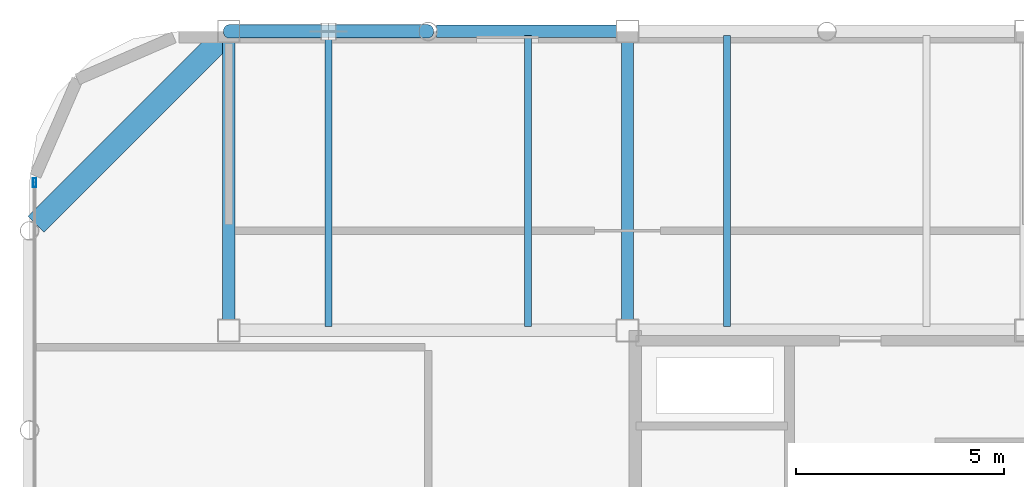
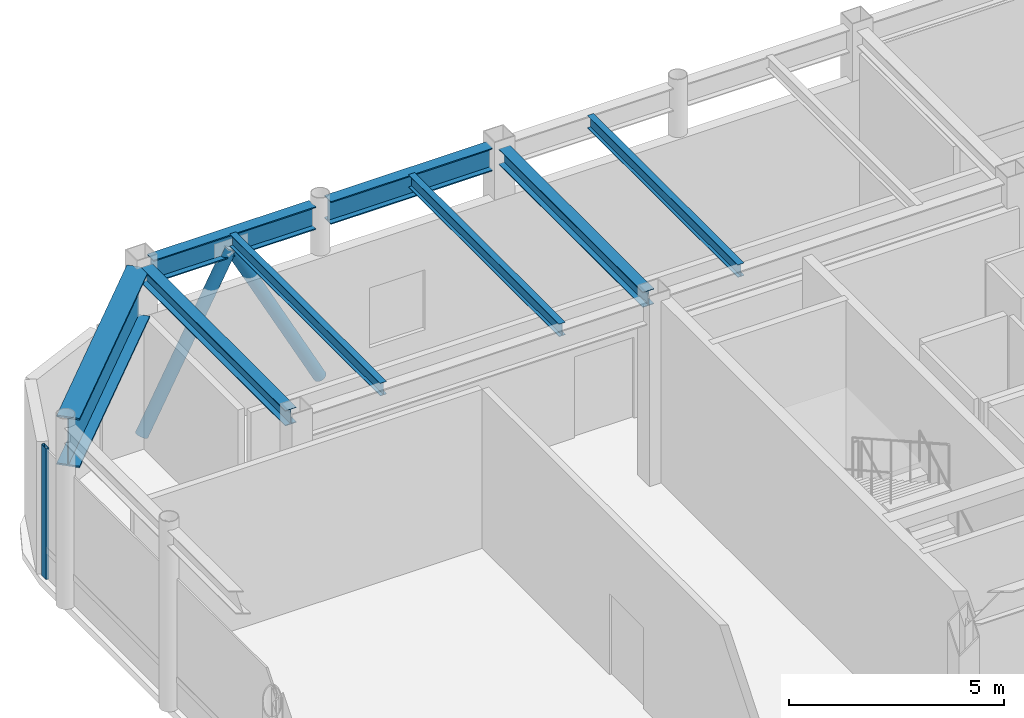
# One storey, part 12 of 21: 8 beams, 3 members, 1 element without a shape of its own.
"""IFC4 building model written with IfcOpenShell, lengths in metres."""

import ifcopenshell
import ifcopenshell.guid

model = None  # the IFC model being written
_history = None  # IfcOwnerHistory: only IFC2X3 demands one
_inside = {}  # id of a spatial element -> (the spatial element, [elements in it])
_under = {}  # id of a project, library or spatial element -> (it, [spatial elements below it])
_declared = {}  # id of a project -> (the project, [libraries it declares])
_typed = {}  # id of a type object -> (the type object, [elements of that type])
_made_of = {}  # id of a material, layer set ... -> (it, [elements and type objects made of it])


def new_model(schema):
    """Start an empty IFC model of exactly this schema.

    Asked for "IFC4X3", IfcOpenShell would pick the latest addendum, in which some entities
    have other attributes; the version numbers below select the first issue.
    IFC2X3 requires an IfcOwnerHistory on every rooted entity: one is made here for all.
    """
    global model, _history
    if schema == "IFC4X3":
        model = ifcopenshell.file(schema_version=(4, 3, 0, 0))
    else:
        model = ifcopenshell.file(schema=schema)
    _inside.clear()
    _under.clear()
    _declared.clear()
    _typed.clear()
    _made_of.clear()
    _history = None
    if model.schema == "IFC2X3":
        org = make("IfcOrganization", Name="unknown")
        user = make(
            "IfcPersonAndOrganization",
            ThePerson=make("IfcPerson", FamilyName="unknown"),
            TheOrganization=org,
        )
        app = make(
            "IfcApplication",
            ApplicationDeveloper=org,
            Version="unknown",
            ApplicationFullName="unknown",
            ApplicationIdentifier="unknown",
        )
        _history = make(
            "IfcOwnerHistory",
            OwningUser=user,
            OwningApplication=app,
            ChangeAction="ADDED",
            CreationDate=0,
        )
    return model


def make(cls, **values):
    """One entity of the class cls with the attributes given. An attribute that is None is left unset."""
    return model.create_entity(
        cls, **{name: value for name, value in values.items() if value is not None}
    )


def rooted(cls, **values):
    """An entity with a GlobalId (a new one), such as an element, a storey or a relation."""
    return make(cls, GlobalId=ifcopenshell.guid.new(), OwnerHistory=_history, **values)


def si_unit(unit_type, name, prefix=None):
    """IfcSIUnit, for example si_unit("LENGTHUNIT", "METRE", prefix="MILLI")."""
    return make("IfcSIUnit", UnitType=unit_type, Prefix=prefix, Name=name)


def assignment(units):
    """IfcUnitAssignment: the units of a project."""
    return None if units is None else make("IfcUnitAssignment", Units=units)


def point(xyz):
    """IfcCartesianPoint."""
    return None if xyz is None else make("IfcCartesianPoint", Coordinates=xyz)


def direction(xyz):
    """IfcDirection."""
    return None if xyz is None else make("IfcDirection", DirectionRatios=xyz)


def frame(location, z_axis=None, x_axis=None):
    """IfcAxis2Placement3D, a coordinate frame: its origin and axes. An axis left out is left unset."""
    return make(
        "IfcAxis2Placement3D",
        Location=point(location),
        Axis=direction(z_axis),
        RefDirection=direction(x_axis),
    )


def frame_2d(location, x_axis=None):
    """IfcAxis2Placement2D, a coordinate frame in the plane: its origin and x axis."""
    return make(
        "IfcAxis2Placement2D", Location=point(location), RefDirection=direction(x_axis)
    )


def origin():
    """The frame at (0, 0, 0) with its axes left unset."""
    return frame((0.0, 0.0, 0.0))


def origin_2d():
    """The frame at (0, 0) in the plane with its x axis left unset."""
    return frame_2d((0.0, 0.0))


def place(relative_to, where):
    """IfcLocalPlacement: puts the frame where relative to a parent placement (None: the world)."""
    return make(
        "IfcLocalPlacement", PlacementRelTo=relative_to, RelativePlacement=where
    )


def context(
    kind, dimensions, precision=None, world=None, true_north=None, identifier=None
):
    """IfcGeometricRepresentationContext, for example the 3D "Model" context."""
    return make(
        "IfcGeometricRepresentationContext",
        ContextIdentifier=identifier,
        ContextType=kind,
        CoordinateSpaceDimension=dimensions,
        Precision=precision,
        WorldCoordinateSystem=world,
        TrueNorth=true_north,
    )


def subcontext(parent, identifier, kind, view, scale=None):
    """IfcGeometricRepresentationSubContext, for example "Body" below "Model"."""
    return make(
        "IfcGeometricRepresentationSubContext",
        ContextIdentifier=identifier,
        ContextType=kind,
        ParentContext=parent,
        TargetScale=scale,
        TargetView=view,
    )


def project(units=None, contexts=None):
    """IfcProject with its units and contexts."""
    return rooted(
        "IfcProject",
        Name="project",
        RepresentationContexts=contexts,
        UnitsInContext=assignment(units),
    )


def spatial(cls, under=None, at=None, **own):
    """A site, building, storey or space (cls), placed at a placement, below another one or the project."""
    s = rooted(cls, ObjectPlacement=at, **own)
    if under is not None:
        _under.setdefault(under.id(), (under, []))[1].append(s)
    return s


def profile(cls, at=None, kind="AREA", **sizes):
    """A parametric profile (cls). Its sizes go by their IFC names, for example OverallWidth=200.0."""
    return make(cls, ProfileType=kind, Position=at, **sizes)


def hollow_rectangle(**sizes):
    """IfcRectangleHollowProfileDef."""
    return profile("IfcRectangleHollowProfileDef", **sizes)


def hollow_circle(**sizes):
    """IfcCircleHollowProfileDef."""
    return profile("IfcCircleHollowProfileDef", **sizes)


def i_section(**sizes):
    """IfcIShapeProfileDef."""
    return profile("IfcIShapeProfileDef", **sizes)


def extrude(swept, where, along, depth):
    """IfcExtrudedAreaSolid: the profile swept, set in the frame where, extruded along a direction by depth."""
    return make(
        "IfcExtrudedAreaSolid",
        SweptArea=swept,
        Position=where,
        ExtrudedDirection=direction(along),
        Depth=depth,
    )


def shape(context_of_items, identifier, shape_type, items):
    """IfcShapeRepresentation: the items that make up one representation, for example the "Body"."""
    return make(
        "IfcShapeRepresentation",
        ContextOfItems=context_of_items,
        RepresentationIdentifier=identifier,
        RepresentationType=shape_type,
        Items=items,
    )


def material(Name=None, Category=None):
    """IfcMaterial."""
    return make("IfcMaterial", Name=Name, Category=Category)


def layer(
    of_material, thickness, ventilated=None, Name=None, Category=None, Priority=None
):
    """IfcMaterialLayer: one layer of a wall or slab, of a material (None: an air gap)."""
    return make(
        "IfcMaterialLayer",
        Material=of_material,
        LayerThickness=thickness,
        IsVentilated=ventilated,
        Name=Name,
        Category=Category,
        Priority=Priority,
    )


def layer_set(layers, Name=None):
    """IfcMaterialLayerSet."""
    return make("IfcMaterialLayerSet", MaterialLayers=layers, LayerSetName=Name)


def material_profile(
    of_material, cross_section, Name=None, Category=None, Priority=None
):
    """IfcMaterialProfile: a cross section and its material."""
    return make(
        "IfcMaterialProfile",
        Name=Name,
        Material=of_material,
        Profile=cross_section,
        Priority=Priority,
        Category=Category,
    )


def profile_set(profiles, Name=None, composite=None):
    """IfcMaterialProfileSet."""
    return make(
        "IfcMaterialProfileSet",
        Name=Name,
        MaterialProfiles=profiles,
        CompositeProfile=composite,
    )


def made_of(thing, what):
    """Note that an element or type object is made of a material, layer set ...; save() writes the relation."""
    if what is not None:
        _made_of.setdefault(what.id(), (what, []))[1].append(thing)
    return thing


def type_object(cls, material=None, **own):
    """A type object (cls), such as IfcWallType, which elements share."""
    return made_of(rooted(cls, **own), material)


def element(
    cls,
    number,
    at=None,
    inside=None,
    cuts=None,
    type_object=None,
    material=None,
    context=None,
    identifier="Body",
    shape_type=None,
    held_by="IfcProductDefinitionShape",
    body=None,
    shapes=None,
    **own,
):
    """One element of the class cls, such as IfcWall. Its Tag is "e" and its number.

    at: its placement. inside: the storey or other place that contains it. cuts: it is an
    opening in that element (IfcRelVoidsElement). A single representation is given by context,
    identifier, shape_type and body (its items); several are given by shapes. held_by: the class
    of the entity that holds the representations. save() writes the other relations.
    """
    e = rooted(cls, Tag="e%d" % number, ObjectPlacement=at, **own)
    if body is not None:
        shapes = [shape(context, identifier, shape_type, body)]
    if shapes is not None:
        e.Representation = make(held_by, Representations=shapes)
    if inside is not None:
        _inside.setdefault(inside.id(), (inside, []))[1].append(e)
    if cuts is not None:
        rooted(
            "IfcRelVoidsElement", RelatingBuildingElement=cuts, RelatedOpeningElement=e
        )
    if type_object is not None:
        _typed.setdefault(type_object.id(), (type_object, []))[1].append(e)
    return made_of(e, material)


def aggregate(whole, parts):
    """IfcRelAggregates: a whole, such as a stair, and the parts it consists of."""
    return rooted("IfcRelAggregates", RelatingObject=whole, RelatedObjects=parts)


def save(model, path):
    """Write the relations noted so far, then the file.

    IfcRelAggregates (storeys below a building ...), IfcRelContainedInSpatialStructure (elements
    in a storey), IfcRelDefinesByType, IfcRelAssociatesMaterial and IfcRelDeclares: one each for
    every whole, place, type object, material and project.
    """
    for whole, parts in _under.values():
        aggregate(whole, parts)
    for where, things in _inside.values():
        rooted(
            "IfcRelContainedInSpatialStructure",
            RelatedElements=things,
            RelatingStructure=where,
        )
    for kind, things in _typed.values():
        rooted("IfcRelDefinesByType", RelatedObjects=things, RelatingType=kind)
    for what, things in _made_of.values():
        rooted("IfcRelAssociatesMaterial", RelatedObjects=things, RelatingMaterial=what)
    for by, libraries in _declared.values():
        rooted("IfcRelDeclares", RelatingContext=by, RelatedDefinitions=libraries)
    model.write(path)


model = new_model("IFC4")

# Units and contexts
model_context = context("Model", 3, precision=1e-05, world=origin(), true_north=direction((0.0, 1.0)))
body_context = subcontext(model_context, "Body", "Model", "MODEL_VIEW")
ifc_project = project(units=[si_unit("LENGTHUNIT", "METRE"), si_unit("AREAUNIT", "SQUARE_METRE"), si_unit("VOLUMEUNIT", "CUBIC_METRE"), si_unit("PLANEANGLEUNIT", "RADIAN"), si_unit("MASSUNIT", "GRAM", prefix="KILO")], contexts=[model_context])

# Site, building, storey
site_placement = place(None, origin())
site = spatial("IfcSite", under=ifc_project, at=site_placement, CompositionType="ELEMENT")
building_placement = place(site_placement, origin())
building = spatial("IfcBuilding", under=site, at=building_placement, Name="Kallvorn Hotel Tower", CompositionType="ELEMENT")
storey_placement = place(building_placement, frame((0.0, 0.0, 300.60009765625)))
storey = spatial("IfcBuildingStorey", under=building, at=storey_placement, Name="L74", CompositionType="ELEMENT", Elevation=300.60009765625)

# Beams
ifc_material_1 = material(Name="Structural steel S355JR", Category="steel")
ifc_material_profile_1 = material_profile(ifc_material_1, i_section(OverallWidth=0.300048828125, OverallDepth=0.43994140625, WebThickness=0.011474609375, FlangeThickness=0.02099609375, at=origin_2d()), Name="HE 450 A")
ifc_profile_set_1 = profile_set([ifc_material_profile_1], Name="Structural steel S355JR")
beam_type_1 = type_object("IfcBeamType", Name="BM_HE450A", PredefinedType="BEAM", material=ifc_profile_set_1)
for number, where, z_axis, x_axis, name in (
    (1, (-24.0, 7.449951171875, 4.93994140625), (0.0, 1.0, 0.0), (-1.0, 0.0, 0.0), "ROOF Primary Y-Girder 33"),
    (2, (-14.39990234375, 7.449951171875, 4.93994140625), (0.0, 1.0, 0.0), (-1.0, 0.0, 0.0), "ROOF Primary Y-Girder 36"),
):
    element("IfcBeam", number, at=place(storey_placement, frame(where, z_axis=z_axis, x_axis=x_axis)), inside=storey, type_object=beam_type_1, Name=name, PredefinedType="BEAM", context=body_context, shape_type="SweptSolid", body=[
        extrude(i_section(OverallWidth=0.300048828125, OverallDepth=0.43994140625, WebThickness=0.011474609375, FlangeThickness=0.02099609375, at=origin_2d()), origin(), (0.0, 0.0, 1.0), 6.699951171875),
    ])
ifc_material_2 = material(Name="Structural steel S355JR", Category="steel")
ifc_material_profile_2 = material_profile(ifc_material_2, i_section(OverallWidth=0.300048828125, OverallDepth=0.64990234375, WebThickness=0.01611328125, FlangeThickness=0.031005859375, at=origin_2d()), Name="HE 650 B")
ifc_profile_set_2 = profile_set([ifc_material_profile_2], Name="Structural steel S355JR")
beam_type_2 = type_object("IfcBeamType", Name="BM_HE650B", PredefinedType="BEAM", material=ifc_profile_set_2)
beam_1_placement = place(storey_placement, frame((-23.75, 14.39990234375, 4.8349609375), z_axis=(1.0, 0.0, 0.0), x_axis=(0.0, 1.0, 0.0)))
element("IfcBeam", 3, at=beam_1_placement, inside=storey, type_object=beam_type_2, Name="ROOF Primary X-Girder 16", PredefinedType="BEAM", context=body_context, shape_type="SweptSolid", body=[
    extrude(i_section(OverallWidth=0.300048828125, OverallDepth=0.64990234375, WebThickness=0.01611328125, FlangeThickness=0.031005859375, at=origin_2d()), origin(), (0.0, 0.0, 1.0), 4.346435546875),
])
beam_2_placement = place(storey_placement, frame((-18.99658203125, 14.39990234375, 4.8349609375), z_axis=(1.0, 0.0, 0.0), x_axis=(0.0, 1.0, 0.0)))
element("IfcBeam", 4, at=beam_2_placement, inside=storey, type_object=beam_type_2, Name="ROOF Primary X-Girder 17", PredefinedType="BEAM", context=body_context, shape_type="SweptSolid", body=[
    extrude(i_section(OverallWidth=0.300048828125, OverallDepth=0.64990234375, WebThickness=0.01611328125, FlangeThickness=0.031005859375, at=origin_2d()), origin(), (0.0, 0.0, 1.0), 4.3466796875),
])
ifc_material_3 = material(Name="Structural steel S355JR", Category="steel")
ifc_material_profile_3 = material_profile(ifc_material_3, i_section(OverallWidth=0.169921875, OverallDepth=0.360107421875, WebThickness=0.008056640625, FlangeThickness=0.0126953125, at=origin_2d()), Name="IPE 360")
ifc_profile_set_3 = profile_set([ifc_material_profile_3], Name="Structural steel S355JR")
beam_type_3 = type_object("IfcBeamType", Name="BM_IPE360", PredefinedType="JOIST", material=ifc_profile_set_3)
for number, where, z_axis, x_axis, name in (
    (5, (-21.60009765625, 7.300048828125, 4.97998046875), (0.0, 1.0, 0.0), (-1.0, 0.0, 0.0), "ROOF Secondary Composite Joist 91"),
    (6, (-16.800048828125, 7.300048828125, 4.97998046875), (0.0, 1.0, 0.0), (-1.0, 0.0, 0.0), "ROOF Secondary Composite Joist 93"),
    (7, (-12.0, 7.300048828125, 4.97998046875), (0.0, 1.0, 0.0), (-1.0, 0.0, 0.0), "ROOF Secondary Composite Joist 95"),
):
    element("IfcBeam", number, at=place(storey_placement, frame(where, z_axis=z_axis, x_axis=x_axis)), inside=storey, type_object=beam_type_3, Name=name, PredefinedType="JOIST", context=body_context, shape_type="SweptSolid", body=[
        extrude(i_section(OverallWidth=0.169921875, OverallDepth=0.360107421875, WebThickness=0.008056640625, FlangeThickness=0.0126953125, at=origin_2d()), origin(), (0.0, 0.0, 1.0), 7.0),
    ])
ifc_material_4 = material(Name="Structural steel S355JR", Category="steel")
ifc_material_profile_4 = material_profile(ifc_material_4, i_section(OverallWidth=0.550048828125, OverallDepth=1.39990234375, WebThickness=0.02490234375, FlangeThickness=0.044921875, at=origin_2d()), Name="PG 1400x550x25x45")
ifc_profile_set_4 = profile_set([ifc_material_profile_4], Name="Structural steel S355JR")
beam_type_4 = type_object("IfcBeamType", Name="BM_PG_1400", PredefinedType="BEAM", material=ifc_profile_set_4)
beam_3_placement = place(storey_placement, frame((-28.6455078125, 9.75439453125, 4.4599609375), z_axis=(0.707087419273, 0.70712614257, 0.0), x_axis=(-0.70712614257, 0.707087419273, 0.0)))
element("IfcBeam", 8, at=beam_3_placement, inside=storey, type_object=beam_type_4, Name="ROOF Rounded Corner Tie Beam 87", PredefinedType="BEAM", context=body_context, shape_type="SweptSolid", body=[
    extrude(i_section(OverallWidth=0.550048828125, OverallDepth=1.39990234375, WebThickness=0.02490234375, FlangeThickness=0.044921875, at=origin_2d()), origin(), (0.0, 0.0, 1.0), 6.3046875),
])

# Curtain wall, member
ifc_material_5 = material(Name="Thermally broken black-anodised aluminium AA 6063-T6", Category="aluminium")
ifc_layer = layer(ifc_material_5, 0.25)
ifc_layer_set = layer_set([ifc_layer], Name="CW_SYS_6_SUMMIT_OBS")
curtain_wall_type = type_object("IfcCurtainWallType", Name="CW_SYS_6_SUMMIT_OBS", PredefinedType="USERDEFINED", material=ifc_layer_set)
curtain_wall_placement = place(storey_placement, origin())
curtain_wall = element("IfcCurtainWall", 9, at=curtain_wall_placement, inside=storey, type_object=curtain_wall_type, Name="L74 Dark-Glass Curtain Wall CW-L74-WN", ObjectType="UNITISED CURTAIN WALL", PredefinedType="USERDEFINED")
ifc_material_6 = material(Name="Thermally broken black-anodised aluminium AA 6063-T6", Category="aluminium")
ifc_material_profile_5 = material_profile(ifc_material_6, hollow_rectangle(XDim=0.080078125, YDim=0.219970703125, WallThickness=0.0048828125, at=origin_2d()), Name="MUL 220x80")
ifc_profile_set_5 = profile_set([ifc_material_profile_5], Name="Thermally broken black-anodised aluminium AA 6063-T6")
member_type_1 = type_object("IfcMemberType", Name="CW_MULLION_220x80", PredefinedType="MULLION", material=ifc_profile_set_5)
member_placement = place(storey_placement, frame((-28.679931640625, 10.760009765625, 0.02001953125), z_axis=(0.0, 0.0, 1.0), x_axis=(1.0, 0.0, 0.0)))
member = element("IfcMember", 10, at=member_placement, type_object=member_type_1, Name="CW-L74-WN Mullion 01", PredefinedType="MULLION", context=body_context, shape_type="SweptSolid", body=[
    extrude(hollow_rectangle(XDim=0.080078125, YDim=0.219970703125, WallThickness=0.0048828125, at=origin_2d()), origin(), (0.0, 0.0, 1.0), 3.719970703125),
])
aggregate(curtain_wall, [member])

# Members
ifc_material_7 = material(Name="Structural steel S355J2H", Category="steel")
ifc_material_profile_6 = material_profile(ifc_material_7, hollow_circle(Radius=0.161865234375, WallThickness=0.012451171875, at=origin_2d()), Name="CHS 323.9x12.5")
ifc_profile_set_6 = profile_set([ifc_material_profile_6], Name="Structural steel S355J2H")
member_type_2 = type_object("IfcMemberType", Name="MBR_EXO_CHS323", PredefinedType="BRACE", material=ifc_profile_set_6)
for number, where, z_axis, x_axis, name in (
    (11, (-23.990478515625, 14.39990234375, 0.197509765625), (0.468947795809, 0.0, 0.883225885493), (0.0, 1.0, 0.0), "L74 Exoskeleton K-Brace N1A"),
    (12, (-19.20947265625, 14.39990234375, 0.197509765625), (-0.468947795809, 0.0, 0.883225885493), (0.0, -1.0, 0.0), "L74 Exoskeleton K-Brace N1B"),
):
    element("IfcMember", number, at=place(storey_placement, frame(where, z_axis=z_axis, x_axis=x_axis)), inside=storey, type_object=member_type_2, Name=name, PredefinedType="BRACE", context=body_context, shape_type="SweptSolid", body=[
        extrude(hollow_circle(Radius=0.161865234375, WallThickness=0.012451171875, at=origin_2d()), origin(), (0.0, 0.0, 1.0), 5.07763671875),
    ])

save(model, "model.ifc")
